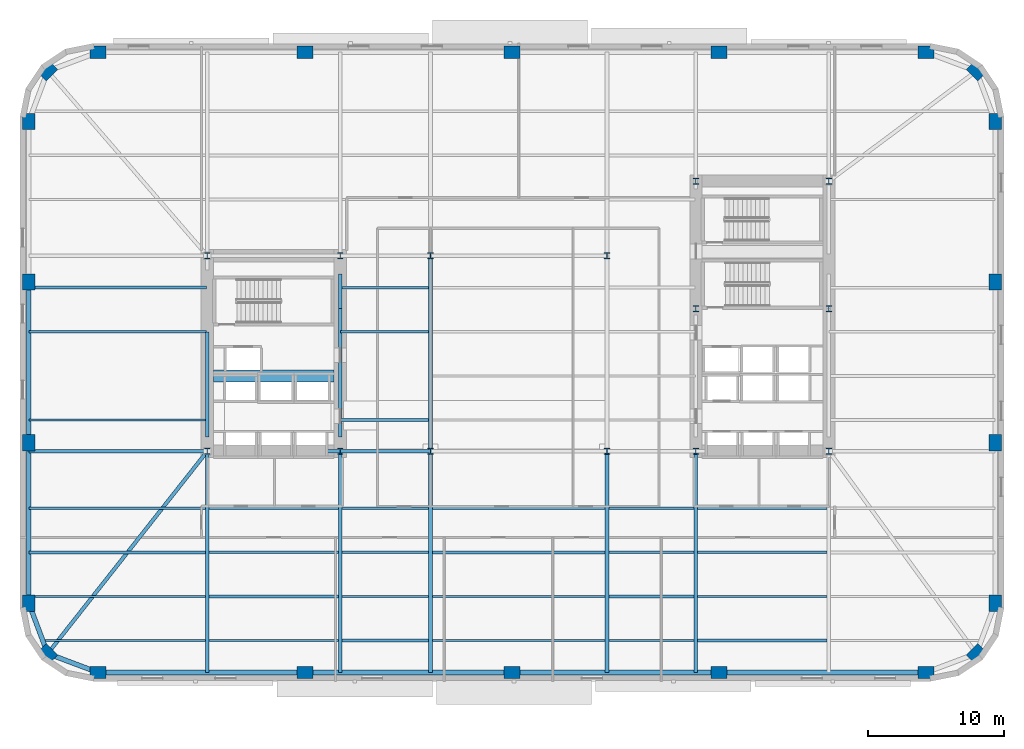
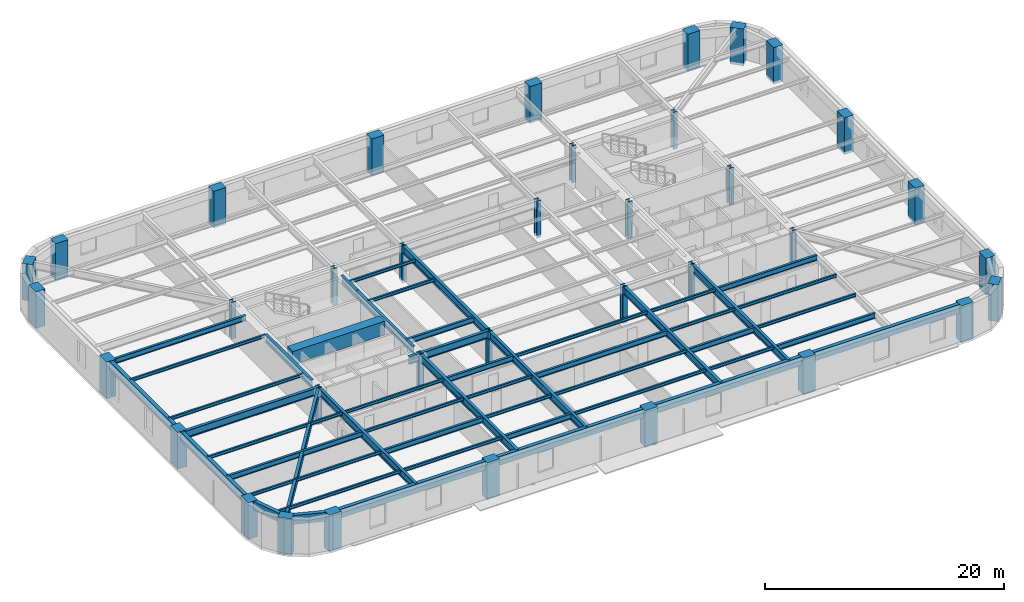
# One storey, part 1 of 14: 51 beams, 36 columns.
"""IFC4 building model written with IfcOpenShell, lengths in metres."""

import ifcopenshell
import ifcopenshell.guid

model = None  # the IFC model being written
_history = None  # IfcOwnerHistory: only IFC2X3 demands one
_inside = {}  # id of a spatial element -> (the spatial element, [elements in it])
_under = {}  # id of a project, library or spatial element -> (it, [spatial elements below it])
_declared = {}  # id of a project -> (the project, [libraries it declares])
_typed = {}  # id of a type object -> (the type object, [elements of that type])
_made_of = {}  # id of a material, layer set ... -> (it, [elements and type objects made of it])


def new_model(schema):
    """Start an empty IFC model of exactly this schema.

    Asked for "IFC4X3", IfcOpenShell would pick the latest addendum, in which some entities
    have other attributes; the version numbers below select the first issue.
    IFC2X3 requires an IfcOwnerHistory on every rooted entity: one is made here for all.
    """
    global model, _history
    if schema == "IFC4X3":
        model = ifcopenshell.file(schema_version=(4, 3, 0, 0))
    else:
        model = ifcopenshell.file(schema=schema)
    _inside.clear()
    _under.clear()
    _declared.clear()
    _typed.clear()
    _made_of.clear()
    _history = None
    if model.schema == "IFC2X3":
        org = make("IfcOrganization", Name="unknown")
        user = make(
            "IfcPersonAndOrganization",
            ThePerson=make("IfcPerson", FamilyName="unknown"),
            TheOrganization=org,
        )
        app = make(
            "IfcApplication",
            ApplicationDeveloper=org,
            Version="unknown",
            ApplicationFullName="unknown",
            ApplicationIdentifier="unknown",
        )
        _history = make(
            "IfcOwnerHistory",
            OwningUser=user,
            OwningApplication=app,
            ChangeAction="ADDED",
            CreationDate=0,
        )
    return model


def make(cls, **values):
    """One entity of the class cls with the attributes given. An attribute that is None is left unset."""
    return model.create_entity(
        cls, **{name: value for name, value in values.items() if value is not None}
    )


def rooted(cls, **values):
    """An entity with a GlobalId (a new one), such as an element, a storey or a relation."""
    return make(cls, GlobalId=ifcopenshell.guid.new(), OwnerHistory=_history, **values)


def si_unit(unit_type, name, prefix=None):
    """IfcSIUnit, for example si_unit("LENGTHUNIT", "METRE", prefix="MILLI")."""
    return make("IfcSIUnit", UnitType=unit_type, Prefix=prefix, Name=name)


def assignment(units):
    """IfcUnitAssignment: the units of a project."""
    return None if units is None else make("IfcUnitAssignment", Units=units)


def point(xyz):
    """IfcCartesianPoint."""
    return None if xyz is None else make("IfcCartesianPoint", Coordinates=xyz)


def direction(xyz):
    """IfcDirection."""
    return None if xyz is None else make("IfcDirection", DirectionRatios=xyz)


def frame(location, z_axis=None, x_axis=None):
    """IfcAxis2Placement3D, a coordinate frame: its origin and axes. An axis left out is left unset."""
    return make(
        "IfcAxis2Placement3D",
        Location=point(location),
        Axis=direction(z_axis),
        RefDirection=direction(x_axis),
    )


def frame_2d(location, x_axis=None):
    """IfcAxis2Placement2D, a coordinate frame in the plane: its origin and x axis."""
    return make(
        "IfcAxis2Placement2D", Location=point(location), RefDirection=direction(x_axis)
    )


def origin():
    """The frame at (0, 0, 0) with its axes left unset."""
    return frame((0.0, 0.0, 0.0))


def origin_2d():
    """The frame at (0, 0) in the plane with its x axis left unset."""
    return frame_2d((0.0, 0.0))


def place(relative_to, where):
    """IfcLocalPlacement: puts the frame where relative to a parent placement (None: the world)."""
    return make(
        "IfcLocalPlacement", PlacementRelTo=relative_to, RelativePlacement=where
    )


def context(
    kind, dimensions, precision=None, world=None, true_north=None, identifier=None
):
    """IfcGeometricRepresentationContext, for example the 3D "Model" context."""
    return make(
        "IfcGeometricRepresentationContext",
        ContextIdentifier=identifier,
        ContextType=kind,
        CoordinateSpaceDimension=dimensions,
        Precision=precision,
        WorldCoordinateSystem=world,
        TrueNorth=true_north,
    )


def subcontext(parent, identifier, kind, view, scale=None):
    """IfcGeometricRepresentationSubContext, for example "Body" below "Model"."""
    return make(
        "IfcGeometricRepresentationSubContext",
        ContextIdentifier=identifier,
        ContextType=kind,
        ParentContext=parent,
        TargetScale=scale,
        TargetView=view,
    )


def project(units=None, contexts=None):
    """IfcProject with its units and contexts."""
    return rooted(
        "IfcProject",
        Name="project",
        RepresentationContexts=contexts,
        UnitsInContext=assignment(units),
    )


def spatial(cls, under=None, at=None, **own):
    """A site, building, storey or space (cls), placed at a placement, below another one or the project."""
    s = rooted(cls, ObjectPlacement=at, **own)
    if under is not None:
        _under.setdefault(under.id(), (under, []))[1].append(s)
    return s


def profile(cls, at=None, kind="AREA", **sizes):
    """A parametric profile (cls). Its sizes go by their IFC names, for example OverallWidth=200.0."""
    return make(cls, ProfileType=kind, Position=at, **sizes)


def rectangle(**sizes):
    """IfcRectangleProfileDef."""
    return profile("IfcRectangleProfileDef", **sizes)


def hollow_rectangle(**sizes):
    """IfcRectangleHollowProfileDef."""
    return profile("IfcRectangleHollowProfileDef", **sizes)


def i_section(**sizes):
    """IfcIShapeProfileDef."""
    return profile("IfcIShapeProfileDef", **sizes)


def extrude(swept, where, along, depth):
    """IfcExtrudedAreaSolid: the profile swept, set in the frame where, extruded along a direction by depth."""
    return make(
        "IfcExtrudedAreaSolid",
        SweptArea=swept,
        Position=where,
        ExtrudedDirection=direction(along),
        Depth=depth,
    )


def shape(context_of_items, identifier, shape_type, items):
    """IfcShapeRepresentation: the items that make up one representation, for example the "Body"."""
    return make(
        "IfcShapeRepresentation",
        ContextOfItems=context_of_items,
        RepresentationIdentifier=identifier,
        RepresentationType=shape_type,
        Items=items,
    )


def material(Name=None, Category=None):
    """IfcMaterial."""
    return make("IfcMaterial", Name=Name, Category=Category)


def material_profile(
    of_material, cross_section, Name=None, Category=None, Priority=None
):
    """IfcMaterialProfile: a cross section and its material."""
    return make(
        "IfcMaterialProfile",
        Name=Name,
        Material=of_material,
        Profile=cross_section,
        Priority=Priority,
        Category=Category,
    )


def profile_set(profiles, Name=None, composite=None):
    """IfcMaterialProfileSet."""
    return make(
        "IfcMaterialProfileSet",
        Name=Name,
        MaterialProfiles=profiles,
        CompositeProfile=composite,
    )


def made_of(thing, what):
    """Note that an element or type object is made of a material, layer set ...; save() writes the relation."""
    if what is not None:
        _made_of.setdefault(what.id(), (what, []))[1].append(thing)
    return thing


def type_object(cls, material=None, **own):
    """A type object (cls), such as IfcWallType, which elements share."""
    return made_of(rooted(cls, **own), material)


def element(
    cls,
    number,
    at=None,
    inside=None,
    cuts=None,
    type_object=None,
    material=None,
    context=None,
    identifier="Body",
    shape_type=None,
    held_by="IfcProductDefinitionShape",
    body=None,
    shapes=None,
    **own,
):
    """One element of the class cls, such as IfcWall. Its Tag is "e" and its number.

    at: its placement. inside: the storey or other place that contains it. cuts: it is an
    opening in that element (IfcRelVoidsElement). A single representation is given by context,
    identifier, shape_type and body (its items); several are given by shapes. held_by: the class
    of the entity that holds the representations. save() writes the other relations.
    """
    e = rooted(cls, Tag="e%d" % number, ObjectPlacement=at, **own)
    if body is not None:
        shapes = [shape(context, identifier, shape_type, body)]
    if shapes is not None:
        e.Representation = make(held_by, Representations=shapes)
    if inside is not None:
        _inside.setdefault(inside.id(), (inside, []))[1].append(e)
    if cuts is not None:
        rooted(
            "IfcRelVoidsElement", RelatingBuildingElement=cuts, RelatedOpeningElement=e
        )
    if type_object is not None:
        _typed.setdefault(type_object.id(), (type_object, []))[1].append(e)
    return made_of(e, material)


def aggregate(whole, parts):
    """IfcRelAggregates: a whole, such as a stair, and the parts it consists of."""
    return rooted("IfcRelAggregates", RelatingObject=whole, RelatedObjects=parts)


def save(model, path):
    """Write the relations noted so far, then the file.

    IfcRelAggregates (storeys below a building ...), IfcRelContainedInSpatialStructure (elements
    in a storey), IfcRelDefinesByType, IfcRelAssociatesMaterial and IfcRelDeclares: one each for
    every whole, place, type object, material and project.
    """
    for whole, parts in _under.values():
        aggregate(whole, parts)
    for where, things in _inside.values():
        rooted(
            "IfcRelContainedInSpatialStructure",
            RelatedElements=things,
            RelatingStructure=where,
        )
    for kind, things in _typed.values():
        rooted("IfcRelDefinesByType", RelatedObjects=things, RelatingType=kind)
    for what, things in _made_of.values():
        rooted("IfcRelAssociatesMaterial", RelatedObjects=things, RelatingMaterial=what)
    for by, libraries in _declared.values():
        rooted("IfcRelDeclares", RelatingContext=by, RelatedDefinitions=libraries)
    model.write(path)


model = new_model("IFC4")

# Units and contexts
model_context = context("Model", 3, precision=1e-05, world=origin(), true_north=direction((0.0, 1.0)))
body_context = subcontext(model_context, "Body", "Model", "MODEL_VIEW")
ifc_project = project(units=[si_unit("LENGTHUNIT", "METRE"), si_unit("AREAUNIT", "SQUARE_METRE"), si_unit("VOLUMEUNIT", "CUBIC_METRE"), si_unit("PLANEANGLEUNIT", "RADIAN"), si_unit("MASSUNIT", "GRAM", prefix="KILO")], contexts=[model_context])

# Site, building, storey
site_placement = place(None, origin())
site = spatial("IfcSite", under=ifc_project, at=site_placement, CompositionType="ELEMENT")
building_placement = place(site_placement, origin())
building = spatial("IfcBuilding", under=site, at=building_placement, Name="Kolvaren Arena Tower", CompositionType="ELEMENT")
storey_placement = place(building_placement, frame((0.0, 0.0, 57.0)))
storey = spatial("IfcBuildingStorey", under=building, at=storey_placement, Name="L11", CompositionType="ELEMENT", Elevation=57.0)

# Columns
ifc_material_1 = material(Name="Precast concrete C70/85", Category="concrete")
ifc_material_profile_1 = material_profile(ifc_material_1, rectangle(XDim=1.199951171875, YDim=0.89990234375, at=origin_2d()), Name="RC-1200x900")
ifc_profile_set_1 = profile_set([ifc_material_profile_1], Name="Precast concrete C70/85")
column_type_1 = type_object("IfcColumnType", Name="EXCOL-Z1", PredefinedType="COLUMN", material=ifc_profile_set_1)
for number, where, z_axis, x_axis, name in (
    (1, (6.5, 3.14990234375, -0.27001953125), (0.0, 0.0, 1.0), (1.0, 0.0, 0.0), "Exoskeleton Perimeter Column 01 (L11)"),
    (2, (21.75, 3.14990234375, -0.27001953125), (0.0, 0.0, 1.0), (1.0, 0.0, 0.0), "Exoskeleton Perimeter Column 02 (L11)"),
    (3, (37.0, 3.14990234375, -0.27001953125), (0.0, 0.0, 1.0), (1.0, 0.0, 0.0), "Exoskeleton Perimeter Column 03 (L11)"),
    (4, (52.25, 3.14990234375, -0.27001953125), (0.0, 0.0, 1.0), (1.0, 0.0, 0.0), "Exoskeleton Perimeter Column 04 (L11)"),
    (5, (67.5, 3.14990234375, -0.27001953125), (0.0, 0.0, 1.0), (1.0, 0.0, 0.0), "Exoskeleton Perimeter Column 05 (L11)"),
    (6, (71.208740234375, 4.541259765625, -0.27001953125), (0.0, 0.0, 1.0), (0.707106781187, 0.707106781187, 0.0), "Exoskeleton Perimeter Column 06 (L11)"),
    (7, (72.60009765625, 8.25, -0.27001953125), (0.0, 0.0, 1.0), (0.0, 1.0, 0.0), "Exoskeleton Perimeter Column 07 (L11)"),
    (8, (72.60009765625, 20.083251953125, -0.27001953125), (0.0, 0.0, 1.0), (0.0, 1.0, 0.0), "Exoskeleton Perimeter Column 08 (L11)"),
    (9, (72.60009765625, 31.916748046875, -0.27001953125), (0.0, 0.0, 1.0), (0.0, 1.0, 0.0), "Exoskeleton Perimeter Column 09 (L11)"),
    (10, (72.60009765625, 43.75, -0.27001953125), (0.0, 0.0, 1.0), (0.0, 1.0, 0.0), "Exoskeleton Perimeter Column 10 (L11)"),
    (11, (71.208740234375, 47.458740234375, -0.27001953125), (0.0, 0.0, 1.0), (-0.707106781187, 0.707106781187, 0.0), "Exoskeleton Perimeter Column 11 (L11)"),
    (12, (67.5, 48.85009765625, -0.27001953125), (0.0, 0.0, 1.0), (1.0, 0.0, 0.0), "Exoskeleton Perimeter Column 12 (L11)"),
    (13, (52.25, 48.85009765625, -0.27001953125), (0.0, 0.0, 1.0), (1.0, 0.0, 0.0), "Exoskeleton Perimeter Column 13 (L11)"),
    (14, (37.0, 48.85009765625, -0.27001953125), (0.0, 0.0, 1.0), (1.0, 0.0, 0.0), "Exoskeleton Perimeter Column 14 (L11)"),
    (15, (21.75, 48.85009765625, -0.27001953125), (0.0, 0.0, 1.0), (1.0, 0.0, 0.0), "Exoskeleton Perimeter Column 15 (L11)"),
    (16, (6.5, 48.85009765625, -0.27001953125), (0.0, 0.0, 1.0), (1.0, 0.0, 0.0), "Exoskeleton Perimeter Column 16 (L11)"),
    (17, (2.791259765625, 47.458740234375, -0.27001953125), (0.0, 0.0, 1.0), (0.707106781187, 0.707106781187, 0.0), "Exoskeleton Perimeter Column 17 (L11)"),
    (18, (1.39990234375, 43.75, -0.27001953125), (0.0, 0.0, 1.0), (0.0, 1.0, 0.0), "Exoskeleton Perimeter Column 18 (L11)"),
    (19, (1.39990234375, 31.916748046875, -0.27001953125), (0.0, 0.0, 1.0), (0.0, 1.0, 0.0), "Exoskeleton Perimeter Column 19 (L11)"),
    (20, (1.39990234375, 20.083251953125, -0.27001953125), (0.0, 0.0, 1.0), (0.0, 1.0, 0.0), "Exoskeleton Perimeter Column 20 (L11)"),
    (21, (1.39990234375, 8.25, -0.27001953125), (0.0, 0.0, 1.0), (0.0, 1.0, 0.0), "Exoskeleton Perimeter Column 21 (L11)"),
    (22, (2.791259765625, 4.541259765625, -0.27001953125), (0.0, 0.0, 1.0), (-0.707106781187, 0.707106781187, 0.0), "Exoskeleton Perimeter Column 22 (L11)"),
):
    element("IfcColumn", number, at=place(storey_placement, frame(where, z_axis=z_axis, x_axis=x_axis)), inside=storey, type_object=column_type_1, Name=name, PredefinedType="COLUMN", context=body_context, shape_type="SweptSolid", body=[
        extrude(rectangle(XDim=1.199951171875, YDim=0.89990234375, at=origin_2d()), origin(), (0.0, 0.0, 1.0), 3.75),
    ])
ifc_material_2 = material(Name="Steel ASTM A913 Grade 65", Category="steel")
ifc_material_profile_2 = material_profile(ifc_material_2, i_section(OverallWidth=0.424072265625, OverallDepth=0.47412109375, WebThickness=0.047607421875, FlangeThickness=0.076904296875, FilletRadius=0.02001953125, at=origin_2d()), Name="W360x634")
ifc_profile_set_2 = profile_set([ifc_material_profile_2], Name="Steel ASTM A913 Grade 65")
column_type_2 = type_object("IfcColumnType", Name="SCOL-Z1", PredefinedType="COLUMN", material=ifc_profile_set_2)
for number, where, z_axis, x_axis, name in (
    (23, (14.550048828125, 19.449951171875, -0.27001953125), (0.0, 0.0, 1.0), (1.0, 0.0, 0.0), "Core Boundary Column WC-SW (L11)"),
    (24, (24.35009765625, 19.449951171875, -0.27001953125), (0.0, 0.0, 1.0), (1.0, 0.0, 0.0), "Core Boundary Column WC-SE (L11)"),
    (25, (14.550048828125, 33.85009765625, -0.27001953125), (0.0, 0.0, 1.0), (1.0, 0.0, 0.0), "Core Boundary Column WC-NW (L11)"),
    (26, (24.35009765625, 33.85009765625, -0.27001953125), (0.0, 0.0, 1.0), (1.0, 0.0, 0.0), "Core Boundary Column WC-NE (L11)"),
    (27, (50.550048828125, 19.449951171875, -0.27001953125), (0.0, 0.0, 1.0), (1.0, 0.0, 0.0), "Core Boundary Column EC-SW (L11)"),
    (28, (60.35009765625, 19.449951171875, -0.27001953125), (0.0, 0.0, 1.0), (1.0, 0.0, 0.0), "Core Boundary Column EC-SE (L11)"),
    (29, (50.550048828125, 29.949951171875, -0.27001953125), (0.0, 0.0, 1.0), (1.0, 0.0, 0.0), "Core Boundary Column EC-MW (L11)"),
    (30, (60.35009765625, 29.949951171875, -0.27001953125), (0.0, 0.0, 1.0), (1.0, 0.0, 0.0), "Core Boundary Column EC-ME (L11)"),
    (31, (50.550048828125, 39.35009765625, -0.27001953125), (0.0, 0.0, 1.0), (1.0, 0.0, 0.0), "Core Boundary Column EC-NW (L11)"),
    (32, (60.35009765625, 39.35009765625, -0.27001953125), (0.0, 0.0, 1.0), (1.0, 0.0, 0.0), "Core Boundary Column EC-NE (L11)"),
    (33, (31.0, 19.449951171875, -0.27001953125), (0.0, 0.0, 1.0), (1.0, 0.0, 0.0), "Interior Gravity Column TC-SW (L11)"),
    (34, (44.0, 19.449951171875, -0.27001953125), (0.0, 0.0, 1.0), (1.0, 0.0, 0.0), "Interior Gravity Column TC-SE (L11)"),
    (35, (31.0, 33.85009765625, -0.27001953125), (0.0, 0.0, 1.0), (1.0, 0.0, 0.0), "Interior Gravity Column TC-NW (L11)"),
    (36, (44.0, 33.85009765625, -0.27001953125), (0.0, 0.0, 1.0), (1.0, 0.0, 0.0), "Interior Gravity Column TC-NE (L11)"),
):
    element("IfcColumn", number, at=place(storey_placement, frame(where, z_axis=z_axis, x_axis=x_axis)), inside=storey, type_object=column_type_2, Name=name, PredefinedType="COLUMN", context=body_context, shape_type="SweptSolid", body=[
        extrude(i_section(OverallWidth=0.424072265625, OverallDepth=0.47412109375, WebThickness=0.047607421875, FlangeThickness=0.076904296875, FilletRadius=0.02001953125, at=origin_2d()), origin(), (0.0, 0.0, 1.0), 3.75),
    ])

# Beams
ifc_material_3 = material(Name="Steel CSA G40.21 350W", Category="steel")
ifc_material_profile_3 = material_profile(ifc_material_3, i_section(OverallWidth=0.2119140625, OverallDepth=0.54296875, WebThickness=0.01318359375, FlangeThickness=0.0244140625, FilletRadius=0.013916015625, at=origin_2d()), Name="W530x150")
ifc_profile_set_3 = profile_set([ifc_material_profile_3], Name="Steel CSA G40.21 350W")
beam_type_1 = type_object("IfcBeamType", Name="BEAM-F1", PredefinedType="BEAM", material=ifc_profile_set_3)
beam_1_placement = place(storey_placement, frame((24.485107421875, 5.5, 3.20849609375), z_axis=(1.0, 0.0, 0.0), x_axis=(0.0, 1.0, 0.0)))
element("IfcBeam", 37, at=beam_1_placement, inside=storey, type_object=beam_type_1, Name="Composite Floor Beam (L11)", PredefinedType="BEAM", context=body_context, shape_type="SweptSolid", body=[
    extrude(i_section(OverallWidth=0.2119140625, OverallDepth=0.54296875, WebThickness=0.01318359375, FlangeThickness=0.0244140625, FilletRadius=0.013916015625, at=origin_2d()), origin(), (0.0, 0.0, 1.0), 6.3798828125),
])
for number, where, z_axis, x_axis, name in (
    (38, (50.68505859375, 5.5, 3.20849609375), (1.0, 0.0, 0.0), (0.0, 1.0, 0.0), "Composite Floor Beam (L11)"),
    (39, (14.68505859375, 8.75, 3.20849609375), (1.0, 0.0, 0.0), (0.0, 1.0, 0.0), "Composite Floor Beam (L11)"),
):
    element("IfcBeam", number, at=place(storey_placement, frame(where, z_axis=z_axis, x_axis=x_axis)), inside=storey, type_object=beam_type_1, Name=name, PredefinedType="BEAM", context=body_context, shape_type="SweptSolid", body=[
        extrude(i_section(OverallWidth=0.2119140625, OverallDepth=0.54296875, WebThickness=0.01318359375, FlangeThickness=0.0244140625, FilletRadius=0.013916015625, at=origin_2d()), origin(), (0.0, 0.0, 1.0), 9.530029296875),
    ])
beam_2_placement = place(storey_placement, frame((44.135009765625, 8.75, 3.20849609375), z_axis=(1.0, 0.0, 0.0), x_axis=(0.0, 1.0, 0.0)))
element("IfcBeam", 40, at=beam_2_placement, inside=storey, type_object=beam_type_1, Name="Composite Floor Beam (L11)", PredefinedType="BEAM", context=body_context, shape_type="SweptSolid", body=[
    extrude(i_section(OverallWidth=0.2119140625, OverallDepth=0.54296875, WebThickness=0.01318359375, FlangeThickness=0.0244140625, FilletRadius=0.013916015625, at=origin_2d()), origin(), (0.0, 0.0, 1.0), 6.280029296875),
])
beam_3_placement = place(storey_placement, frame((1.39990234375, 12.0, 3.20849609375), z_axis=(1.0, 0.0, 0.0), x_axis=(0.0, 1.0, 0.0)))
element("IfcBeam", 41, at=beam_3_placement, inside=storey, type_object=beam_type_1, Name="Composite Floor Beam (L11)", PredefinedType="BEAM", context=body_context, shape_type="SweptSolid", body=[
    extrude(i_section(OverallWidth=0.2119140625, OverallDepth=0.54296875, WebThickness=0.01318359375, FlangeThickness=0.0244140625, FilletRadius=0.013916015625, at=origin_2d()), origin(), (0.0, 0.0, 1.0), 13.01513671875),
])
beam_4_placement = place(storey_placement, frame((31.135009765625, 12.0, 3.20849609375), z_axis=(1.0, 0.0, 0.0), x_axis=(0.0, 1.0, 0.0)))
element("IfcBeam", 42, at=beam_4_placement, inside=storey, type_object=beam_type_1, Name="Composite Floor Beam (L11)", PredefinedType="BEAM", context=body_context, shape_type="SweptSolid", body=[
    extrude(i_section(OverallWidth=0.2119140625, OverallDepth=0.54296875, WebThickness=0.01318359375, FlangeThickness=0.0244140625, FilletRadius=0.013916015625, at=origin_2d()), origin(), (0.0, 0.0, 1.0), 12.72998046875),
])
beam_5_placement = place(storey_placement, frame((24.485107421875, 15.25, 3.20849609375), z_axis=(1.0, 0.0, 0.0), x_axis=(0.0, 1.0, 0.0)))
element("IfcBeam", 43, at=beam_5_placement, inside=storey, type_object=beam_type_1, Name="Composite Floor Beam (L11)", PredefinedType="BEAM", context=body_context, shape_type="SweptSolid", body=[
    extrude(i_section(OverallWidth=0.2119140625, OverallDepth=0.54296875, WebThickness=0.01318359375, FlangeThickness=0.0244140625, FilletRadius=0.013916015625, at=origin_2d()), origin(), (0.0, 0.0, 1.0), 6.3798828125),
])
beam_6_placement = place(storey_placement, frame((50.68505859375, 15.25, 3.20849609375), z_axis=(1.0, 0.0, 0.0), x_axis=(0.0, 1.0, 0.0)))
element("IfcBeam", 44, at=beam_6_placement, inside=storey, type_object=beam_type_1, Name="Composite Floor Beam (L11)", PredefinedType="BEAM", context=body_context, shape_type="SweptSolid", body=[
    extrude(i_section(OverallWidth=0.2119140625, OverallDepth=0.54296875, WebThickness=0.01318359375, FlangeThickness=0.0244140625, FilletRadius=0.013916015625, at=origin_2d()), origin(), (0.0, 0.0, 1.0), 9.530029296875),
])
beam_7_placement = place(storey_placement, frame((24.3701171875, 21.75, 3.20849609375), z_axis=(1.0, 0.0, 0.0), x_axis=(0.0, 1.0, 0.0)))
element("IfcBeam", 45, at=beam_7_placement, inside=storey, type_object=beam_type_1, Name="Composite Floor Beam (L11)", PredefinedType="BEAM", context=body_context, shape_type="SweptSolid", body=[
    extrude(i_section(OverallWidth=0.2119140625, OverallDepth=0.54296875, WebThickness=0.01318359375, FlangeThickness=0.0244140625, FilletRadius=0.013916015625, at=origin_2d()), origin(), (0.0, 0.0, 1.0), 6.494873046875),
])
beam_8_placement = place(storey_placement, frame((1.39990234375, 31.5, 3.20849609375), z_axis=(1.0, 0.0, 0.0), x_axis=(0.0, 1.0, 0.0)))
element("IfcBeam", 46, at=beam_8_placement, inside=storey, type_object=beam_type_1, Name="Composite Floor Beam (L11)", PredefinedType="BEAM", context=body_context, shape_type="SweptSolid", body=[
    extrude(i_section(OverallWidth=0.2119140625, OverallDepth=0.54296875, WebThickness=0.01318359375, FlangeThickness=0.0244140625, FilletRadius=0.013916015625, at=origin_2d()), origin(), (0.0, 0.0, 1.0), 13.080078125),
])
ifc_material_4 = material(Name="Concrete 75 MPa", Category="concrete")
ifc_material_profile_4 = material_profile(ifc_material_4, rectangle(XDim=0.89990234375, YDim=1.39990234375, at=origin_2d()), Name="RC-900x1400")
ifc_profile_set_4 = profile_set([ifc_material_profile_4], Name="Concrete 75 MPa")
beam_type_2 = type_object("IfcBeamType", Name="CB-CORE-1", PredefinedType="BEAM", material=ifc_profile_set_4)
beam_9_placement = place(storey_placement, frame((15.0, 25.0, 3.050048828125), z_axis=(1.0, 0.0, 0.0), x_axis=(0.0, 1.0, 0.0)))
element("IfcBeam", 47, at=beam_9_placement, inside=storey, type_object=beam_type_2, Name="West Core Coupling Beam (L11)", PredefinedType="BEAM", context=body_context, shape_type="SweptSolid", body=[
    extrude(rectangle(XDim=0.89990234375, YDim=1.39990234375, at=origin_2d()), origin(), (0.0, 0.0, 1.0), 8.89990234375),
])
ifc_material_profile_5 = material_profile(ifc_material_3, i_section(OverallWidth=0.27001953125, OverallDepth=0.77294921875, WebThickness=0.019287109375, FlangeThickness=0.033447265625, FilletRadius=0.01806640625, at=origin_2d()), Name="W760x257")
ifc_profile_set_5 = profile_set([ifc_material_profile_5], Name="Steel CSA G40.21 350W")
beam_type_3 = type_object("IfcBeamType", Name="GIRD-T1", PredefinedType="BEAM", material=ifc_profile_set_5)
beam_10_placement = place(storey_placement, frame((2.791259765625, 4.541259765625, 3.093505859375), z_axis=(0.61927986086, 0.785170334343, 0.0), x_axis=(-0.785170334343, 0.61927986086, 0.0)))
element("IfcBeam", 48, at=beam_10_placement, inside=storey, type_object=beam_type_3, Name="Corner Diagonal Tie Girder (L11)", PredefinedType="BEAM", context=body_context, shape_type="SweptSolid", body=[
    extrude(i_section(OverallWidth=0.27001953125, OverallDepth=0.77294921875, WebThickness=0.019287109375, FlangeThickness=0.033447265625, FilletRadius=0.01806640625, at=origin_2d()), origin(), (0.0, 0.0, 1.0), 18.98779296875),
])
beam_11_placement = place(storey_placement, frame((1.39990234375, 19.449951171875, 3.093505859375), z_axis=(1.0, 0.0, 0.0), x_axis=(0.0, 1.0, 0.0)))
element("IfcBeam", 49, at=beam_11_placement, inside=storey, type_object=beam_type_3, Name="Primary Floor Girder (L11)", PredefinedType="BEAM", context=body_context, shape_type="SweptSolid", body=[
    extrude(i_section(OverallWidth=0.27001953125, OverallDepth=0.77294921875, WebThickness=0.019287109375, FlangeThickness=0.033447265625, FilletRadius=0.01806640625, at=origin_2d()), origin(), (0.0, 0.0, 1.0), 13.150146484375),
])
beam_12_placement = place(storey_placement, frame((23.2451171875, 19.449951171875, 3.093505859375), z_axis=(1.0, 0.0, 0.0), x_axis=(0.0, 1.0, 0.0)))
element("IfcBeam", 50, at=beam_12_placement, inside=storey, type_object=beam_type_3, Name="Primary Floor Girder (L11)", PredefinedType="BEAM", context=body_context, shape_type="SweptSolid", body=[
    extrude(i_section(OverallWidth=0.27001953125, OverallDepth=0.77294921875, WebThickness=0.019287109375, FlangeThickness=0.033447265625, FilletRadius=0.01806640625, at=origin_2d()), origin(), (0.0, 0.0, 1.0), 7.7548828125),
])
beam_13_placement = place(storey_placement, frame((14.550048828125, 3.14990234375, 3.093505859375), z_axis=(0.0, 1.0, 0.0), x_axis=(-1.0, 0.0, 0.0)))
element("IfcBeam", 51, at=beam_13_placement, inside=storey, type_object=beam_type_3, Name="Primary Floor Girder (L11)", PredefinedType="BEAM", context=body_context, shape_type="SweptSolid", body=[
    extrude(i_section(OverallWidth=0.27001953125, OverallDepth=0.77294921875, WebThickness=0.019287109375, FlangeThickness=0.033447265625, FilletRadius=0.01806640625, at=origin_2d()), origin(), (0.0, 0.0, 1.0), 16.300048828125),
])
beam_14_placement = place(storey_placement, frame((14.550048828125, 20.5, 3.093505859375), z_axis=(0.0, 1.0, 0.0), x_axis=(-1.0, 0.0, 0.0)))
element("IfcBeam", 52, at=beam_14_placement, inside=storey, type_object=beam_type_3, Name="Primary Floor Girder (L11)", PredefinedType="BEAM", context=body_context, shape_type="SweptSolid", body=[
    extrude(i_section(OverallWidth=0.27001953125, OverallDepth=0.77294921875, WebThickness=0.019287109375, FlangeThickness=0.033447265625, FilletRadius=0.01806640625, at=origin_2d()), origin(), (0.0, 0.0, 1.0), 7.739990234375),
])
beam_15_placement = place(storey_placement, frame((24.35009765625, 3.14990234375, 3.093505859375), z_axis=(0.0, 1.0, 0.0), x_axis=(-1.0, 0.0, 0.0)))
element("IfcBeam", 53, at=beam_15_placement, inside=storey, type_object=beam_type_3, Name="Primary Floor Girder (L11)", PredefinedType="BEAM", context=body_context, shape_type="SweptSolid", body=[
    extrude(i_section(OverallWidth=0.27001953125, OverallDepth=0.77294921875, WebThickness=0.019287109375, FlangeThickness=0.033447265625, FilletRadius=0.01806640625, at=origin_2d()), origin(), (0.0, 0.0, 1.0), 16.300048828125),
])
beam_16_placement = place(storey_placement, frame((24.35009765625, 20.5, 3.093505859375), z_axis=(0.0, 1.0, 0.0), x_axis=(-1.0, 0.0, 0.0)))
element("IfcBeam", 54, at=beam_16_placement, inside=storey, type_object=beam_type_3, Name="Primary Floor Girder (L11)", PredefinedType="BEAM", context=body_context, shape_type="SweptSolid", body=[
    extrude(i_section(OverallWidth=0.27001953125, OverallDepth=0.77294921875, WebThickness=0.019287109375, FlangeThickness=0.033447265625, FilletRadius=0.01806640625, at=origin_2d()), origin(), (0.0, 0.0, 1.0), 9.449951171875),
])
beam_17_placement = place(storey_placement, frame((24.35009765625, 29.949951171875, 3.093505859375), z_axis=(0.0, 1.0, 0.0), x_axis=(-1.0, 0.0, 0.0)))
element("IfcBeam", 55, at=beam_17_placement, inside=storey, type_object=beam_type_3, Name="Primary Floor Girder (L11)", PredefinedType="BEAM", context=body_context, shape_type="SweptSolid", body=[
    extrude(i_section(OverallWidth=0.27001953125, OverallDepth=0.77294921875, WebThickness=0.019287109375, FlangeThickness=0.033447265625, FilletRadius=0.01806640625, at=origin_2d()), origin(), (0.0, 0.0, 1.0), 2.550048828125),
])
beam_18_placement = place(storey_placement, frame((31.0, 3.14990234375, 3.093505859375), z_axis=(0.0, 1.0, 0.0), x_axis=(-1.0, 0.0, 0.0)))
element("IfcBeam", 56, at=beam_18_placement, inside=storey, type_object=beam_type_3, Name="Primary Floor Girder (L11)", PredefinedType="BEAM", context=body_context, shape_type="SweptSolid", body=[
    extrude(i_section(OverallWidth=0.27001953125, OverallDepth=0.77294921875, WebThickness=0.019287109375, FlangeThickness=0.033447265625, FilletRadius=0.01806640625, at=origin_2d()), origin(), (0.0, 0.0, 1.0), 16.300048828125),
])
beam_19_placement = place(storey_placement, frame((31.0, 19.449951171875, 3.093505859375), z_axis=(0.0, 1.0, 0.0), x_axis=(-1.0, 0.0, 0.0)))
element("IfcBeam", 57, at=beam_19_placement, inside=storey, type_object=beam_type_3, Name="Primary Floor Girder (L11)", PredefinedType="BEAM", context=body_context, shape_type="SweptSolid", body=[
    extrude(i_section(OverallWidth=0.27001953125, OverallDepth=0.77294921875, WebThickness=0.019287109375, FlangeThickness=0.033447265625, FilletRadius=0.01806640625, at=origin_2d()), origin(), (0.0, 0.0, 1.0), 14.400146484375),
])
for number, where, z_axis, x_axis, name in (
    (58, (44.0, 3.14990234375, 3.093505859375), (0.0, 1.0, 0.0), (-1.0, 0.0, 0.0), "Primary Floor Girder (L11)"),
    (59, (50.550048828125, 3.14990234375, 3.093505859375), (0.0, 1.0, 0.0), (-1.0, 0.0, 0.0), "Primary Floor Girder (L11)"),
):
    element("IfcBeam", number, at=place(storey_placement, frame(where, z_axis=z_axis, x_axis=x_axis)), inside=storey, type_object=beam_type_3, Name=name, PredefinedType="BEAM", context=body_context, shape_type="SweptSolid", body=[
        extrude(i_section(OverallWidth=0.27001953125, OverallDepth=0.77294921875, WebThickness=0.019287109375, FlangeThickness=0.033447265625, FilletRadius=0.01806640625, at=origin_2d()), origin(), (0.0, 0.0, 1.0), 16.300048828125),
    ])
ifc_material_profile_6 = material_profile(ifc_material_3, i_section(OverallWidth=0.1669921875, OverallDepth=0.31689453125, WebThickness=0.007568359375, FlangeThickness=0.01318359375, FilletRadius=0.010009765625, at=origin_2d()), Name="W310x52")
ifc_profile_set_6 = profile_set([ifc_material_profile_6], Name="Steel CSA G40.21 350W")
beam_type_4 = type_object("IfcBeamType", Name="JOIST-02", PredefinedType="JOIST", material=ifc_profile_set_6)
beam_20_placement = place(storey_placement, frame((2.431396484375, 5.5, 3.321533203125), z_axis=(1.0, 0.0, 0.0), x_axis=(0.0, 1.0, 0.0)))
element("IfcBeam", 60, at=beam_20_placement, inside=storey, type_object=beam_type_4, Name="Composite Floor Joist (L11)", PredefinedType="JOIST", context=body_context, shape_type="SweptSolid", body=[
    extrude(i_section(OverallWidth=0.1669921875, OverallDepth=0.31689453125, WebThickness=0.007568359375, FlangeThickness=0.01318359375, FilletRadius=0.010009765625, at=origin_2d()), origin(), (0.0, 0.0, 1.0), 11.983642578125),
])
beam_21_placement = place(storey_placement, frame((14.68505859375, 5.5, 3.321533203125), z_axis=(1.0, 0.0, 0.0), x_axis=(0.0, 1.0, 0.0)))
element("IfcBeam", 61, at=beam_21_placement, inside=storey, type_object=beam_type_4, Name="Composite Floor Joist (L11)", PredefinedType="JOIST", context=body_context, shape_type="SweptSolid", body=[
    extrude(i_section(OverallWidth=0.1669921875, OverallDepth=0.31689453125, WebThickness=0.007568359375, FlangeThickness=0.01318359375, FilletRadius=0.010009765625, at=origin_2d()), origin(), (0.0, 0.0, 1.0), 9.530029296875),
])
beam_22_placement = place(storey_placement, frame((31.135009765625, 5.5, 3.321533203125), z_axis=(1.0, 0.0, 0.0), x_axis=(0.0, 1.0, 0.0)))
element("IfcBeam", 62, at=beam_22_placement, inside=storey, type_object=beam_type_4, Name="Composite Floor Joist (L11)", PredefinedType="JOIST", context=body_context, shape_type="SweptSolid", body=[
    extrude(i_section(OverallWidth=0.1669921875, OverallDepth=0.31689453125, WebThickness=0.007568359375, FlangeThickness=0.01318359375, FilletRadius=0.010009765625, at=origin_2d()), origin(), (0.0, 0.0, 1.0), 12.72998046875),
])
beam_23_placement = place(storey_placement, frame((44.135009765625, 5.5, 3.321533203125), z_axis=(1.0, 0.0, 0.0), x_axis=(0.0, 1.0, 0.0)))
element("IfcBeam", 63, at=beam_23_placement, inside=storey, type_object=beam_type_4, Name="Composite Floor Joist (L11)", PredefinedType="JOIST", context=body_context, shape_type="SweptSolid", body=[
    extrude(i_section(OverallWidth=0.1669921875, OverallDepth=0.31689453125, WebThickness=0.007568359375, FlangeThickness=0.01318359375, FilletRadius=0.010009765625, at=origin_2d()), origin(), (0.0, 0.0, 1.0), 6.280029296875),
])
beam_24_placement = place(storey_placement, frame((1.39990234375, 8.75, 3.321533203125), z_axis=(1.0, 0.0, 0.0), x_axis=(0.0, 1.0, 0.0)))
element("IfcBeam", 64, at=beam_24_placement, inside=storey, type_object=beam_type_4, Name="Composite Floor Joist (L11)", PredefinedType="JOIST", context=body_context, shape_type="SweptSolid", body=[
    extrude(i_section(OverallWidth=0.1669921875, OverallDepth=0.31689453125, WebThickness=0.007568359375, FlangeThickness=0.01318359375, FilletRadius=0.010009765625, at=origin_2d()), origin(), (0.0, 0.0, 1.0), 13.01513671875),
])
beam_25_placement = place(storey_placement, frame((24.485107421875, 8.75, 3.321533203125), z_axis=(1.0, 0.0, 0.0), x_axis=(0.0, 1.0, 0.0)))
element("IfcBeam", 65, at=beam_25_placement, inside=storey, type_object=beam_type_4, Name="Composite Floor Joist (L11)", PredefinedType="JOIST", context=body_context, shape_type="SweptSolid", body=[
    extrude(i_section(OverallWidth=0.1669921875, OverallDepth=0.31689453125, WebThickness=0.007568359375, FlangeThickness=0.01318359375, FilletRadius=0.010009765625, at=origin_2d()), origin(), (0.0, 0.0, 1.0), 6.3798828125),
])
beam_26_placement = place(storey_placement, frame((31.135009765625, 8.75, 3.321533203125), z_axis=(1.0, 0.0, 0.0), x_axis=(0.0, 1.0, 0.0)))
element("IfcBeam", 66, at=beam_26_placement, inside=storey, type_object=beam_type_4, Name="Composite Floor Joist (L11)", PredefinedType="JOIST", context=body_context, shape_type="SweptSolid", body=[
    extrude(i_section(OverallWidth=0.1669921875, OverallDepth=0.31689453125, WebThickness=0.007568359375, FlangeThickness=0.01318359375, FilletRadius=0.010009765625, at=origin_2d()), origin(), (0.0, 0.0, 1.0), 12.72998046875),
])
for number, where, z_axis, x_axis, name in (
    (67, (50.68505859375, 8.75, 3.321533203125), (1.0, 0.0, 0.0), (0.0, 1.0, 0.0), "Composite Floor Joist (L11)"),
    (68, (14.68505859375, 12.0, 3.321533203125), (1.0, 0.0, 0.0), (0.0, 1.0, 0.0), "Composite Floor Joist (L11)"),
):
    element("IfcBeam", number, at=place(storey_placement, frame(where, z_axis=z_axis, x_axis=x_axis)), inside=storey, type_object=beam_type_4, Name=name, PredefinedType="JOIST", context=body_context, shape_type="SweptSolid", body=[
        extrude(i_section(OverallWidth=0.1669921875, OverallDepth=0.31689453125, WebThickness=0.007568359375, FlangeThickness=0.01318359375, FilletRadius=0.010009765625, at=origin_2d()), origin(), (0.0, 0.0, 1.0), 9.530029296875),
    ])
beam_27_placement = place(storey_placement, frame((24.485107421875, 12.0, 3.321533203125), z_axis=(1.0, 0.0, 0.0), x_axis=(0.0, 1.0, 0.0)))
element("IfcBeam", 69, at=beam_27_placement, inside=storey, type_object=beam_type_4, Name="Composite Floor Joist (L11)", PredefinedType="JOIST", context=body_context, shape_type="SweptSolid", body=[
    extrude(i_section(OverallWidth=0.1669921875, OverallDepth=0.31689453125, WebThickness=0.007568359375, FlangeThickness=0.01318359375, FilletRadius=0.010009765625, at=origin_2d()), origin(), (0.0, 0.0, 1.0), 6.3798828125),
])
beam_28_placement = place(storey_placement, frame((44.135009765625, 12.0, 3.321533203125), z_axis=(1.0, 0.0, 0.0), x_axis=(0.0, 1.0, 0.0)))
element("IfcBeam", 70, at=beam_28_placement, inside=storey, type_object=beam_type_4, Name="Composite Floor Joist (L11)", PredefinedType="JOIST", context=body_context, shape_type="SweptSolid", body=[
    extrude(i_section(OverallWidth=0.1669921875, OverallDepth=0.31689453125, WebThickness=0.007568359375, FlangeThickness=0.01318359375, FilletRadius=0.010009765625, at=origin_2d()), origin(), (0.0, 0.0, 1.0), 6.280029296875),
])
beam_29_placement = place(storey_placement, frame((50.68505859375, 12.0, 3.321533203125), z_axis=(1.0, 0.0, 0.0), x_axis=(0.0, 1.0, 0.0)))
element("IfcBeam", 71, at=beam_29_placement, inside=storey, type_object=beam_type_4, Name="Composite Floor Joist (L11)", PredefinedType="JOIST", context=body_context, shape_type="SweptSolid", body=[
    extrude(i_section(OverallWidth=0.1669921875, OverallDepth=0.31689453125, WebThickness=0.007568359375, FlangeThickness=0.01318359375, FilletRadius=0.010009765625, at=origin_2d()), origin(), (0.0, 0.0, 1.0), 9.530029296875),
])
beam_30_placement = place(storey_placement, frame((1.39990234375, 15.25, 3.321533203125), z_axis=(1.0, 0.0, 0.0), x_axis=(0.0, 1.0, 0.0)))
element("IfcBeam", 72, at=beam_30_placement, inside=storey, type_object=beam_type_4, Name="Composite Floor Joist (L11)", PredefinedType="JOIST", context=body_context, shape_type="SweptSolid", body=[
    extrude(i_section(OverallWidth=0.1669921875, OverallDepth=0.31689453125, WebThickness=0.007568359375, FlangeThickness=0.01318359375, FilletRadius=0.010009765625, at=origin_2d()), origin(), (0.0, 0.0, 1.0), 13.01513671875),
])
beam_31_placement = place(storey_placement, frame((14.68505859375, 15.25, 3.321533203125), z_axis=(1.0, 0.0, 0.0), x_axis=(0.0, 1.0, 0.0)))
element("IfcBeam", 73, at=beam_31_placement, inside=storey, type_object=beam_type_4, Name="Composite Floor Joist (L11)", PredefinedType="JOIST", context=body_context, shape_type="SweptSolid", body=[
    extrude(i_section(OverallWidth=0.1669921875, OverallDepth=0.31689453125, WebThickness=0.007568359375, FlangeThickness=0.01318359375, FilletRadius=0.010009765625, at=origin_2d()), origin(), (0.0, 0.0, 1.0), 9.530029296875),
])
beam_32_placement = place(storey_placement, frame((31.135009765625, 15.25, 3.321533203125), z_axis=(1.0, 0.0, 0.0), x_axis=(0.0, 1.0, 0.0)))
element("IfcBeam", 74, at=beam_32_placement, inside=storey, type_object=beam_type_4, Name="Composite Floor Joist (L11)", PredefinedType="JOIST", context=body_context, shape_type="SweptSolid", body=[
    extrude(i_section(OverallWidth=0.1669921875, OverallDepth=0.31689453125, WebThickness=0.007568359375, FlangeThickness=0.01318359375, FilletRadius=0.010009765625, at=origin_2d()), origin(), (0.0, 0.0, 1.0), 12.72998046875),
])
beam_33_placement = place(storey_placement, frame((44.135009765625, 15.25, 3.321533203125), z_axis=(1.0, 0.0, 0.0), x_axis=(0.0, 1.0, 0.0)))
element("IfcBeam", 75, at=beam_33_placement, inside=storey, type_object=beam_type_4, Name="Composite Floor Joist (L11)", PredefinedType="JOIST", context=body_context, shape_type="SweptSolid", body=[
    extrude(i_section(OverallWidth=0.1669921875, OverallDepth=0.31689453125, WebThickness=0.007568359375, FlangeThickness=0.01318359375, FilletRadius=0.010009765625, at=origin_2d()), origin(), (0.0, 0.0, 1.0), 6.280029296875),
])
beam_34_placement = place(storey_placement, frame((1.39990234375, 21.75, 3.321533203125), z_axis=(1.0, 0.0, 0.0), x_axis=(0.0, 1.0, 0.0)))
element("IfcBeam", 76, at=beam_34_placement, inside=storey, type_object=beam_type_4, Name="Composite Floor Joist (L11)", PredefinedType="JOIST", context=body_context, shape_type="SweptSolid", body=[
    extrude(i_section(OverallWidth=0.1669921875, OverallDepth=0.31689453125, WebThickness=0.007568359375, FlangeThickness=0.01318359375, FilletRadius=0.010009765625, at=origin_2d()), origin(), (0.0, 0.0, 1.0), 13.130126953125),
])
beam_35_placement = place(storey_placement, frame((1.39990234375, 28.25, 3.321533203125), z_axis=(1.0, 0.0, 0.0), x_axis=(0.0, 1.0, 0.0)))
element("IfcBeam", 77, at=beam_35_placement, inside=storey, type_object=beam_type_4, Name="Composite Floor Joist (L11)", PredefinedType="JOIST", context=body_context, shape_type="SweptSolid", body=[
    extrude(i_section(OverallWidth=0.1669921875, OverallDepth=0.31689453125, WebThickness=0.007568359375, FlangeThickness=0.01318359375, FilletRadius=0.010009765625, at=origin_2d()), origin(), (0.0, 0.0, 1.0), 13.080078125),
])
for number, where, z_axis, x_axis, name in (
    (78, (24.3701171875, 28.25, 3.321533203125), (1.0, 0.0, 0.0), (0.0, 1.0, 0.0), "Composite Floor Joist (L11)"),
    (79, (24.3701171875, 31.5, 3.321533203125), (1.0, 0.0, 0.0), (0.0, 1.0, 0.0), "Composite Floor Joist (L11)"),
):
    element("IfcBeam", number, at=place(storey_placement, frame(where, z_axis=z_axis, x_axis=x_axis)), inside=storey, type_object=beam_type_4, Name=name, PredefinedType="JOIST", context=body_context, shape_type="SweptSolid", body=[
        extrude(i_section(OverallWidth=0.1669921875, OverallDepth=0.31689453125, WebThickness=0.007568359375, FlangeThickness=0.01318359375, FilletRadius=0.010009765625, at=origin_2d()), origin(), (0.0, 0.0, 1.0), 6.494873046875),
    ])
ifc_material_5 = material(Name="Steel CSA G40.21 350WT", Category="steel")
ifc_material_profile_7 = material_profile(ifc_material_5, hollow_rectangle(XDim=0.35009765625, YDim=0.89990234375, WallThickness=0.02001953125, at=origin_2d()), Name="HSS 900x350x20")
ifc_profile_set_7 = profile_set([ifc_material_profile_7], Name="Steel CSA G40.21 350WT")
beam_type_5 = type_object("IfcBeamType", Name="SPAND-01", PredefinedType="SPANDREL", material=ifc_profile_set_7)
for number, where, z_axis, x_axis, name in (
    (80, (6.5, 3.14990234375, 3.030029296875), (1.0, 0.0, 0.0), (0.0, 1.0, 0.0), "Perimeter Spandrel Beam (L11)"),
    (81, (21.75, 3.14990234375, 3.030029296875), (1.0, 0.0, 0.0), (0.0, 1.0, 0.0), "Perimeter Spandrel Beam (L11)"),
    (82, (37.0, 3.14990234375, 3.030029296875), (1.0, 0.0, 0.0), (0.0, 1.0, 0.0), "Perimeter Spandrel Beam (L11)"),
    (83, (52.25, 3.14990234375, 3.030029296875), (1.0, 0.0, 0.0), (0.0, 1.0, 0.0), "Perimeter Spandrel Beam (L11)"),
):
    element("IfcBeam", number, at=place(storey_placement, frame(where, z_axis=z_axis, x_axis=x_axis)), inside=storey, type_object=beam_type_5, Name=name, PredefinedType="SPANDREL", context=body_context, shape_type="SweptSolid", body=[
        extrude(hollow_rectangle(XDim=0.35009765625, YDim=0.89990234375, WallThickness=0.02001953125, at=origin_2d()), origin(), (0.0, 0.0, 1.0), 15.25),
    ])
beam_36_placement = place(storey_placement, frame((1.39990234375, 31.916748046875, 3.030029296875), z_axis=(0.0, -1.0, 0.0), x_axis=(1.0, 0.0, 0.0)))
element("IfcBeam", 84, at=beam_36_placement, inside=storey, type_object=beam_type_5, Name="Perimeter Spandrel Beam (L11)", PredefinedType="SPANDREL", context=body_context, shape_type="SweptSolid", body=[
    extrude(hollow_rectangle(XDim=0.35009765625, YDim=0.89990234375, WallThickness=0.02001953125, at=origin_2d()), origin(), (0.0, 0.0, 1.0), 11.83349609375),
])
beam_37_placement = place(storey_placement, frame((1.39990234375, 20.083251953125, 3.030029296875), z_axis=(0.0, -1.0, 0.0), x_axis=(1.0, 0.0, 0.0)))
element("IfcBeam", 85, at=beam_37_placement, inside=storey, type_object=beam_type_5, Name="Perimeter Spandrel Beam (L11)", PredefinedType="SPANDREL", context=body_context, shape_type="SweptSolid", body=[
    extrude(hollow_rectangle(XDim=0.35009765625, YDim=0.89990234375, WallThickness=0.02001953125, at=origin_2d()), origin(), (0.0, 0.0, 1.0), 11.833251953125),
])
for number, where, z_axis, x_axis, name in (
    (86, (1.39990234375, 8.25, 3.030029296875), (0.351251771955, -0.93628104365, 0.0), (0.93628104365, 0.351251771955, 0.0), "Perimeter Spandrel Beam (L11)"),
    (87, (2.791259765625, 4.541259765625, 3.030029296875), (0.93628104365, -0.351251771955, 0.0), (0.351251771955, 0.93628104365, 0.0), "Perimeter Spandrel Beam (L11)"),
):
    element("IfcBeam", number, at=place(storey_placement, frame(where, z_axis=z_axis, x_axis=x_axis)), inside=storey, type_object=beam_type_5, Name=name, PredefinedType="SPANDREL", context=body_context, shape_type="SweptSolid", body=[
        extrude(hollow_rectangle(XDim=0.35009765625, YDim=0.89990234375, WallThickness=0.02001953125, at=origin_2d()), origin(), (0.0, 0.0, 1.0), 3.961181640625),
    ])

save(model, "model.ifc")
